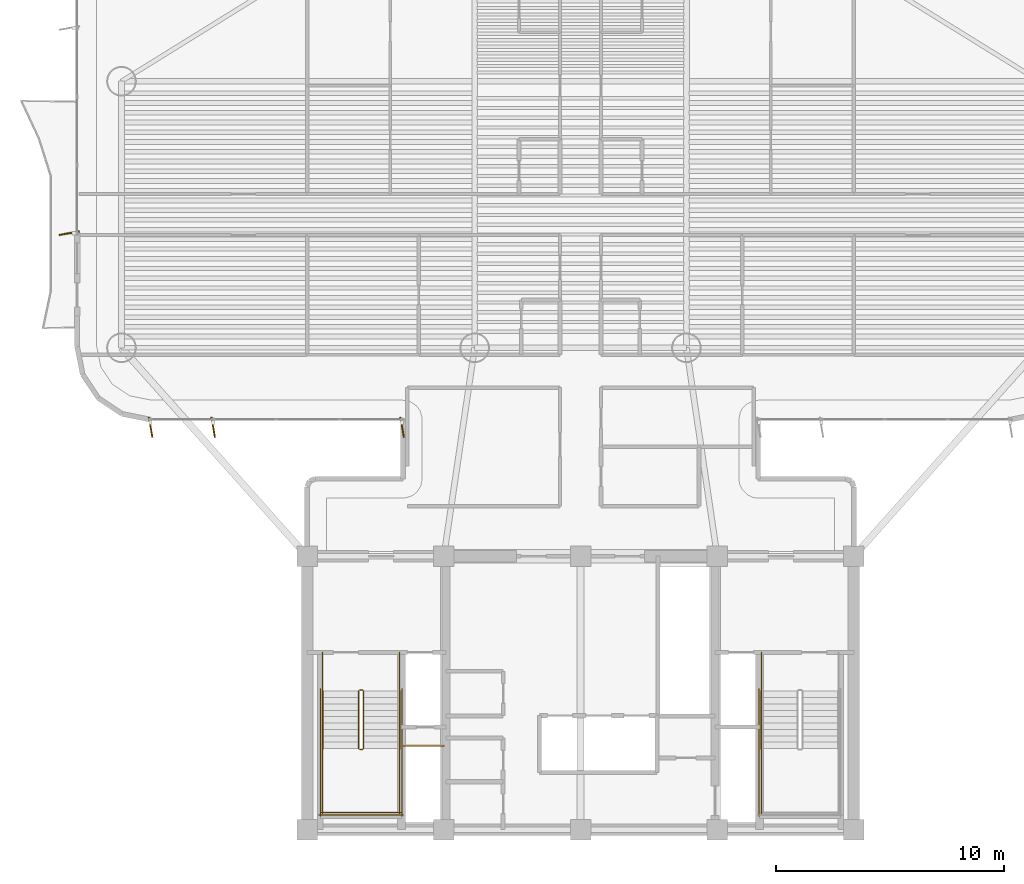
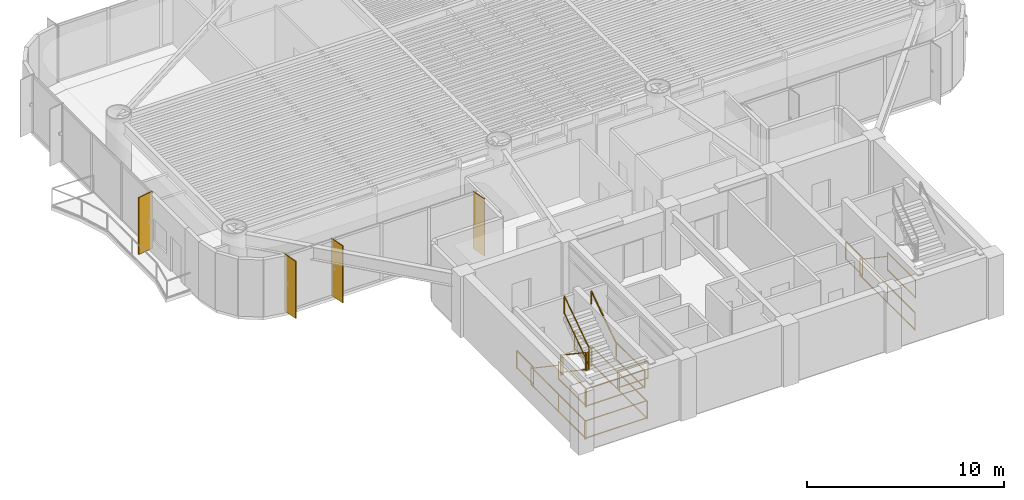
# One storey, part 14 of 17: 19 railings, 4 shading devices.
"""IFC4 building model written with IfcOpenShell, lengths in metres."""

from ifc_helpers import new_model, si_unit, direction, frame, origin, origin_2d, place, context, subcontext, project, spatial, rectangle, extrude, source, transform, mapped, material, layer, layer_set, material_profile, profile_set, type_object, element, save


model = new_model("IFC4")

# Units and contexts
model_context = context("Model", 3, precision=1e-05, world=origin(), true_north=direction((0.0, 1.0)))
body_context = subcontext(model_context, "Body", "Model", "MODEL_VIEW")
ifc_project = project(units=[si_unit("LENGTHUNIT", "METRE"), si_unit("AREAUNIT", "SQUARE_METRE"), si_unit("VOLUMEUNIT", "CUBIC_METRE"), si_unit("PLANEANGLEUNIT", "RADIAN"), si_unit("MASSUNIT", "GRAM", prefix="KILO")], contexts=[model_context])

# Site, building, storey
site_placement = place(None, origin())
site = spatial("IfcSite", under=ifc_project, at=site_placement, CompositionType="ELEMENT")
building_placement = place(site_placement, origin())
building = spatial("IfcBuilding", under=site, at=building_placement, Name="Brelvock Crest Care Tower", CompositionType="ELEMENT")
storey_placement = place(building_placement, frame((0.0, 0.0, 93.60009765625)))
storey = spatial("IfcBuildingStorey", under=building, at=storey_placement, Name="L23", CompositionType="ELEMENT", Elevation=93.60009765625)

# Railings
ifc_material_1 = material(Name="Steel Grade 350", Category="steel")
ifc_layer_1 = layer(ifc_material_1, 0.050048828125, Name="RL-STG1")
ifc_layer_set_1 = layer_set([ifc_layer_1], Name="Steel Grade 350")
railing_type_1 = type_object("IfcRailingType", Name="RL-STG1", PredefinedType="GUARDRAIL", material=ifc_layer_set_1)
railing_1_placement = place(storey_placement, frame((26.260009765625, 12.080078125, 0.18896484375)))
element("IfcRailing", 1, at=railing_1_placement, inside=storey, type_object=railing_type_1, Name="L23 ST-1 stair guard 1", PredefinedType="GUARDRAIL", context=body_context, shape_type="SweptSolid", body=[
    extrude(rectangle(XDim=0.048095703125, YDim=0.048095703125, at=origin_2d()), frame((0.0, -0.001708984375, 1.116943359375), z_axis=(0.0, -0.828861706735, 0.559453546873), x_axis=(1.0, 0.0, 0.0)), (0.0, 0.0, 1.0), 3.036376953125),
    extrude(rectangle(XDim=0.048095703125, YDim=0.048095703125, at=origin_2d()), frame((0.0, -0.001708984375, 0.05615234375), z_axis=(0.0, -0.828861706735, 0.559453546873), x_axis=(1.0, 0.0, 0.0)), (0.0, 0.0, 1.0), 3.036376953125),
    extrude(rectangle(XDim=0.0419921875, YDim=0.0419921875, at=origin_2d()), origin(), (0.0, 0.0, 1.0), 1.08984375),
    extrude(rectangle(XDim=0.0419921875, YDim=0.0419921875, at=origin_2d()), frame((0.0, -2.52001953125, 1.700927734375)), (0.0, 0.0, 1.0), 1.08984375),
])
railing_2_placement = place(storey_placement, frame((26.31005859375, 9.510009765625, 1.889892578125)))
element("IfcRailing", 2, at=railing_2_placement, inside=storey, type_object=railing_type_1, Name="L23 ST-1 stair guard 2", PredefinedType="GUARDRAIL", context=body_context, shape_type="SweptSolid", body=[
    extrude(rectangle(XDim=0.048095703125, YDim=0.048095703125, at=origin_2d()), frame((0.001953125, 0.0, 1.11572265625), z_axis=(1.0, 0.0, 0.0), x_axis=(0.0, 1.0, 0.0)), (0.0, 0.0, 1.0), 0.115966796875),
    extrude(rectangle(XDim=0.048095703125, YDim=0.048095703125, at=origin_2d()), frame((0.001953125, 0.0, 0.054931640625), z_axis=(1.0, 0.0, 0.0), x_axis=(0.0, 1.0, 0.0)), (0.0, 0.0, 1.0), 0.115966796875),
    extrude(rectangle(XDim=0.0419921875, YDim=0.0419921875, at=origin_2d()), origin(), (0.0, 0.0, 1.0), 1.08984375),
    extrude(rectangle(XDim=0.0419921875, YDim=0.0419921875, at=origin_2d()), frame((0.119873046875, 0.0, 0.0)), (0.0, 0.0, 1.0), 1.08984375),
])
for number, where, name in (
    (3, (24.679931640625, 9.56005859375, 1.889892578125), "L23 ST-1 stair guard 3"),
    (4, (28.06005859375, 9.56005859375, 1.889892578125), "L23 ST-1 stair guard 4"),
):
    element("IfcRailing", number, at=place(storey_placement, frame(where)), inside=storey, type_object=railing_type_1, Name=name, PredefinedType="GUARDRAIL", context=body_context, shape_type="SweptSolid", body=[
        extrude(rectangle(XDim=0.048095703125, YDim=0.048095703125, at=origin_2d()), frame((0.0, -0.001953125, 1.11572265625), z_axis=(0.0, -1.0, 0.0), x_axis=(1.0, 0.0, 0.0)), (0.0, 0.0, 1.0), 2.856201171875),
        extrude(rectangle(XDim=0.048095703125, YDim=0.048095703125, at=origin_2d()), frame((0.0, -0.001953125, 0.054931640625), z_axis=(0.0, -1.0, 0.0), x_axis=(1.0, 0.0, 0.0)), (0.0, 0.0, 1.0), 2.856201171875),
        extrude(rectangle(XDim=0.0419921875, YDim=0.0419921875, at=origin_2d()), origin(), (0.0, 0.0, 1.0), 1.08984375),
        extrude(rectangle(XDim=0.0419921875, YDim=0.0419921875, at=origin_2d()), frame((0.0, -2.860107421875, 0.0)), (0.0, 0.0, 1.0), 1.08984375),
    ])
railing_3_placement = place(storey_placement, frame((24.6298828125, 6.75, 1.889892578125)))
element("IfcRailing", 5, at=railing_3_placement, inside=storey, type_object=railing_type_1, Name="L23 ST-1 stair guard 5", PredefinedType="GUARDRAIL", context=body_context, shape_type="SweptSolid", body=[
    extrude(rectangle(XDim=0.048095703125, YDim=0.048095703125, at=origin_2d()), frame((0.001953125, 0.0, 1.11572265625), z_axis=(1.0, 0.0, 0.0), x_axis=(0.0, 1.0, 0.0)), (0.0, 0.0, 1.0), 3.476318359375),
    extrude(rectangle(XDim=0.048095703125, YDim=0.048095703125, at=origin_2d()), frame((0.001953125, 0.0, 0.054931640625), z_axis=(1.0, 0.0, 0.0), x_axis=(0.0, 1.0, 0.0)), (0.0, 0.0, 1.0), 3.476318359375),
    extrude(rectangle(XDim=0.0419921875, YDim=0.0419921875, at=origin_2d()), origin(), (0.0, 0.0, 1.0), 1.08984375),
    extrude(rectangle(XDim=0.0419921875, YDim=0.0419921875, at=origin_2d()), frame((3.480224609375, 0.0, 0.0)), (0.0, 0.0, 1.0), 1.08984375),
])
railing_4_placement = place(storey_placement, frame((26.47998046875, 9.56005859375, 2.078857421875)))
element("IfcRailing", 6, at=railing_4_placement, inside=storey, type_object=railing_type_1, Name="L23 ST-1 stair guard 6", PredefinedType="GUARDRAIL", context=body_context, shape_type="SweptSolid", body=[
    extrude(rectangle(XDim=0.048095703125, YDim=0.048095703125, at=origin_2d()), frame((0.0, 0.001708984375, 1.116943359375), z_axis=(0.0, 0.828861706735, 0.559453546873), x_axis=(-1.0, 0.0, 0.0)), (0.0, 0.0, 1.0), 3.036376953125),
    extrude(rectangle(XDim=0.048095703125, YDim=0.048095703125, at=origin_2d()), frame((0.0, 0.001708984375, 0.05615234375), z_axis=(0.0, 0.828861706735, 0.559453546873), x_axis=(-1.0, 0.0, 0.0)), (0.0, 0.0, 1.0), 3.036376953125),
    extrude(rectangle(XDim=0.0419921875, YDim=0.0419921875, at=origin_2d()), origin(), (0.0, 0.0, 1.0), 1.08984375),
    extrude(rectangle(XDim=0.0419921875, YDim=0.0419921875, at=origin_2d()), frame((0.0, 2.52001953125, 1.700927734375)), (0.0, 0.0, 1.0), 1.08984375),
])
railing_5_placement = place(storey_placement, frame((26.31005859375, 12.1298828125, 0.0)))
element("IfcRailing", 7, at=railing_5_placement, inside=storey, type_object=railing_type_1, Name="L23 ST-1 stair guard 7", PredefinedType="GUARDRAIL", context=body_context, shape_type="SweptSolid", body=[
    extrude(rectangle(XDim=0.048095703125, YDim=0.048095703125, at=origin_2d()), frame((0.001953125, 0.0, 1.11572265625), z_axis=(1.0, 0.0, 0.0), x_axis=(0.0, 1.0, 0.0)), (0.0, 0.0, 1.0), 0.115966796875),
    extrude(rectangle(XDim=0.048095703125, YDim=0.048095703125, at=origin_2d()), frame((0.001953125, 0.0, 0.054931640625), z_axis=(1.0, 0.0, 0.0), x_axis=(0.0, 1.0, 0.0)), (0.0, 0.0, 1.0), 0.115966796875),
    extrude(rectangle(XDim=0.0419921875, YDim=0.0419921875, at=origin_2d()), origin(), (0.0, 0.0, 1.0), 1.08984375),
    extrude(rectangle(XDim=0.0419921875, YDim=0.0419921875, at=origin_2d()), frame((0.119873046875, 0.0, 0.0)), (0.0, 0.0, 1.0), 1.08984375),
])
for number, where, name in (
    (8, (24.679931640625, 13.780029296875, 0.0), "L23 ST-1 stair guard 8"),
    (9, (28.06005859375, 13.780029296875, 0.0), "L23 ST-1 stair guard 9"),
):
    element("IfcRailing", number, at=place(storey_placement, frame(where)), inside=storey, type_object=railing_type_1, Name=name, PredefinedType="GUARDRAIL", context=body_context, shape_type="SweptSolid", body=[
        extrude(rectangle(XDim=0.048095703125, YDim=0.048095703125, at=origin_2d()), frame((0.0, -0.001953125, 1.11572265625), z_axis=(0.0, -1.0, 0.0), x_axis=(1.0, 0.0, 0.0)), (0.0, 0.0, 1.0), 1.696044921875),
        extrude(rectangle(XDim=0.048095703125, YDim=0.048095703125, at=origin_2d()), frame((0.0, -0.001953125, 0.054931640625), z_axis=(0.0, -1.0, 0.0), x_axis=(1.0, 0.0, 0.0)), (0.0, 0.0, 1.0), 1.696044921875),
        extrude(rectangle(XDim=0.0419921875, YDim=0.0419921875, at=origin_2d()), origin(), (0.0, 0.0, 1.0), 1.08984375),
        extrude(rectangle(XDim=0.0419921875, YDim=0.0419921875, at=origin_2d()), frame((0.0, -1.699951171875, 0.0)), (0.0, 0.0, 1.0), 1.08984375),
    ])
for number, where, name in (
    (10, (24.580078125, 12.179931640625, 0.0), "L23 ST-1 stair guard 10"),
    (11, (28.159912109375, 12.179931640625, 0.0), "L23 ST-1 stair guard 11"),
):
    element("IfcRailing", number, at=place(storey_placement, frame(where)), inside=storey, type_object=railing_type_1, Name=name, PredefinedType="GUARDRAIL", context=body_context, shape_type="SweptSolid", body=[
        extrude(rectangle(XDim=0.048095703125, YDim=0.048095703125, at=origin_2d()), frame((0.0, -0.001953125, 1.11572265625), z_axis=(0.0, -1.0, 0.0), x_axis=(1.0, 0.0, 0.0)), (0.0, 0.0, 1.0), 5.575927734375),
        extrude(rectangle(XDim=0.048095703125, YDim=0.048095703125, at=origin_2d()), frame((0.0, -0.001953125, 0.054931640625), z_axis=(0.0, -1.0, 0.0), x_axis=(1.0, 0.0, 0.0)), (0.0, 0.0, 1.0), 5.575927734375),
        extrude(rectangle(XDim=0.0419921875, YDim=0.0419921875, at=origin_2d()), origin(), (0.0, 0.0, 1.0), 1.08984375),
        extrude(rectangle(XDim=0.0419921875, YDim=0.0419921875, at=origin_2d()), frame((0.0, -2.7900390625, 0.0)), (0.0, 0.0, 1.0), 1.08984375),
        extrude(rectangle(XDim=0.0419921875, YDim=0.0419921875, at=origin_2d()), frame((0.0, -5.579833984375, 0.0)), (0.0, 0.0, 1.0), 1.08984375),
    ])
railing_6_placement = place(storey_placement, frame((24.530029296875, 6.64990234375, 0.0)))
element("IfcRailing", 12, at=railing_6_placement, inside=storey, type_object=railing_type_1, Name="L23 ST-1 stair guard 12", PredefinedType="GUARDRAIL", context=body_context, shape_type="SweptSolid", body=[
    extrude(rectangle(XDim=0.048095703125, YDim=0.048095703125, at=origin_2d()), frame((0.001953125, 0.0, 1.11572265625), z_axis=(1.0, 0.0, 0.0), x_axis=(0.0, 1.0, 0.0)), (0.0, 0.0, 1.0), 3.676025390625),
    extrude(rectangle(XDim=0.048095703125, YDim=0.048095703125, at=origin_2d()), frame((0.001953125, 0.0, 0.054931640625), z_axis=(1.0, 0.0, 0.0), x_axis=(0.0, 1.0, 0.0)), (0.0, 0.0, 1.0), 3.676025390625),
    extrude(rectangle(XDim=0.0419921875, YDim=0.0419921875, at=origin_2d()), origin(), (0.0, 0.0, 1.0), 1.08984375),
    extrude(rectangle(XDim=0.0419921875, YDim=0.0419921875, at=origin_2d()), frame((3.679931640625, 0.0, 0.0)), (0.0, 0.0, 1.0), 1.08984375),
])
railing_7_placement = place(storey_placement, frame((43.93994140625, 9.56005859375, 1.889892578125)))
element("IfcRailing", 13, at=railing_7_placement, inside=storey, type_object=railing_type_1, Name="L23 ST-2 stair guard 3", PredefinedType="GUARDRAIL", context=body_context, shape_type="SweptSolid", body=[
    extrude(rectangle(XDim=0.048095703125, YDim=0.048095703125, at=origin_2d()), frame((0.0, -0.001953125, 1.11572265625), z_axis=(0.0, -1.0, 0.0), x_axis=(1.0, 0.0, 0.0)), (0.0, 0.0, 1.0), 2.856201171875),
    extrude(rectangle(XDim=0.048095703125, YDim=0.048095703125, at=origin_2d()), frame((0.0, -0.001953125, 0.054931640625), z_axis=(0.0, -1.0, 0.0), x_axis=(1.0, 0.0, 0.0)), (0.0, 0.0, 1.0), 2.856201171875),
    extrude(rectangle(XDim=0.0419921875, YDim=0.0419921875, at=origin_2d()), origin(), (0.0, 0.0, 1.0), 1.08984375),
    extrude(rectangle(XDim=0.0419921875, YDim=0.0419921875, at=origin_2d()), frame((0.0, -2.860107421875, 0.0)), (0.0, 0.0, 1.0), 1.08984375),
])
railing_8_placement = place(storey_placement, frame((43.93994140625, 13.780029296875, 0.0)))
element("IfcRailing", 14, at=railing_8_placement, inside=storey, type_object=railing_type_1, Name="L23 ST-2 stair guard 8", PredefinedType="GUARDRAIL", context=body_context, shape_type="SweptSolid", body=[
    extrude(rectangle(XDim=0.048095703125, YDim=0.048095703125, at=origin_2d()), frame((0.0, -0.001953125, 1.11572265625), z_axis=(0.0, -1.0, 0.0), x_axis=(1.0, 0.0, 0.0)), (0.0, 0.0, 1.0), 1.696044921875),
    extrude(rectangle(XDim=0.048095703125, YDim=0.048095703125, at=origin_2d()), frame((0.0, -0.001953125, 0.054931640625), z_axis=(0.0, -1.0, 0.0), x_axis=(1.0, 0.0, 0.0)), (0.0, 0.0, 1.0), 1.696044921875),
    extrude(rectangle(XDim=0.0419921875, YDim=0.0419921875, at=origin_2d()), origin(), (0.0, 0.0, 1.0), 1.08984375),
    extrude(rectangle(XDim=0.0419921875, YDim=0.0419921875, at=origin_2d()), frame((0.0, -1.699951171875, 0.0)), (0.0, 0.0, 1.0), 1.08984375),
])
railing_9_placement = place(storey_placement, frame((43.840087890625, 12.179931640625, 0.0)))
element("IfcRailing", 15, at=railing_9_placement, inside=storey, type_object=railing_type_1, Name="L23 ST-2 stair guard 10", PredefinedType="GUARDRAIL", context=body_context, shape_type="SweptSolid", body=[
    extrude(rectangle(XDim=0.048095703125, YDim=0.048095703125, at=origin_2d()), frame((0.0, -0.001953125, 1.11572265625), z_axis=(0.0, -1.0, 0.0), x_axis=(1.0, 0.0, 0.0)), (0.0, 0.0, 1.0), 5.575927734375),
    extrude(rectangle(XDim=0.048095703125, YDim=0.048095703125, at=origin_2d()), frame((0.0, -0.001953125, 0.054931640625), z_axis=(0.0, -1.0, 0.0), x_axis=(1.0, 0.0, 0.0)), (0.0, 0.0, 1.0), 5.575927734375),
    extrude(rectangle(XDim=0.0419921875, YDim=0.0419921875, at=origin_2d()), origin(), (0.0, 0.0, 1.0), 1.08984375),
    extrude(rectangle(XDim=0.0419921875, YDim=0.0419921875, at=origin_2d()), frame((0.0, -2.7900390625, 0.0)), (0.0, 0.0, 1.0), 1.08984375),
    extrude(rectangle(XDim=0.0419921875, YDim=0.0419921875, at=origin_2d()), frame((0.0, -5.579833984375, 0.0)), (0.0, 0.0, 1.0), 1.08984375),
])
railing_10_placement = place(storey_placement, frame((28.219970703125, 9.679931640625, 0.0)))
element("IfcRailing", 16, at=railing_10_placement, inside=storey, type_object=railing_type_1, Name="L23 Fire Riser Threshold Guard", PredefinedType="GUARDRAIL", context=body_context, shape_type="SweptSolid", body=[
    extrude(rectangle(XDim=0.048095703125, YDim=0.048095703125, at=origin_2d()), frame((0.001953125, 0.0, 1.11572265625), z_axis=(1.0, 0.0, 0.0), x_axis=(0.0, 1.0, 0.0)), (0.0, 0.0, 1.0), 1.776123046875),
    extrude(rectangle(XDim=0.048095703125, YDim=0.048095703125, at=origin_2d()), frame((0.001953125, 0.0, 0.054931640625), z_axis=(1.0, 0.0, 0.0), x_axis=(0.0, 1.0, 0.0)), (0.0, 0.0, 1.0), 1.776123046875),
    extrude(rectangle(XDim=0.0419921875, YDim=0.0419921875, at=origin_2d()), origin(), (0.0, 0.0, 1.0), 1.08984375),
    extrude(rectangle(XDim=0.0419921875, YDim=0.0419921875, at=origin_2d()), frame((1.780029296875, 0.0, 0.0)), (0.0, 0.0, 1.0), 1.08984375),
])
ifc_layer_2 = layer(ifc_material_1, 0.048095703125, Name="RL-STH1")
ifc_layer_set_2 = layer_set([ifc_layer_2], Name="Steel Grade 350")
railing_type_2 = type_object("IfcRailingType", Name="RL-STH1", PredefinedType="HANDRAIL", material=ifc_layer_set_2)
railing_11_placement = place(storey_placement, frame((24.679931640625, 12.080078125, 0.18896484375)))
element("IfcRailing", 17, at=railing_11_placement, inside=storey, type_object=railing_type_2, Name="L23 ST-1 stair handrail 1", PredefinedType="HANDRAIL", context=body_context, shape_type="SweptSolid", body=[
    extrude(rectangle(XDim=0.048095703125, YDim=0.048095703125, at=origin_2d()), frame((0.0, -0.001708984375, 0.876953125), z_axis=(0.0, -0.828861706735, 0.559453546873), x_axis=(1.0, 0.0, 0.0)), (0.0, 0.0, 1.0), 3.036376953125),
    extrude(rectangle(XDim=0.0419921875, YDim=0.0419921875, at=origin_2d()), origin(), (0.0, 0.0, 1.0), 0.849853515625),
    extrude(rectangle(XDim=0.0419921875, YDim=0.0419921875, at=origin_2d()), frame((0.0, -2.52001953125, 1.700927734375)), (0.0, 0.0, 1.0), 0.849853515625),
])
railing_12_placement = place(storey_placement, frame((28.06005859375, 9.56005859375, 2.078857421875)))
element("IfcRailing", 18, at=railing_12_placement, inside=storey, type_object=railing_type_2, Name="L23 ST-1 stair handrail 2", PredefinedType="HANDRAIL", context=body_context, shape_type="SweptSolid", body=[
    extrude(rectangle(XDim=0.048095703125, YDim=0.048095703125, at=origin_2d()), frame((0.0, 0.001708984375, 0.876953125), z_axis=(0.0, 0.828861706735, 0.559453546873), x_axis=(-1.0, 0.0, 0.0)), (0.0, 0.0, 1.0), 3.036376953125),
    extrude(rectangle(XDim=0.0419921875, YDim=0.0419921875, at=origin_2d()), origin(), (0.0, 0.0, 1.0), 0.849853515625),
    extrude(rectangle(XDim=0.0419921875, YDim=0.0419921875, at=origin_2d()), frame((0.0, 2.52001953125, 1.700927734375)), (0.0, 0.0, 1.0), 0.849853515625),
])
railing_13_placement = place(storey_placement, frame((43.93994140625, 12.080078125, 0.18896484375)))
element("IfcRailing", 19, at=railing_13_placement, inside=storey, type_object=railing_type_2, Name="L23 ST-2 stair handrail 1", PredefinedType="HANDRAIL", context=body_context, shape_type="SweptSolid", body=[
    extrude(rectangle(XDim=0.048095703125, YDim=0.048095703125, at=origin_2d()), frame((0.0, -0.001708984375, 0.876953125), z_axis=(0.0, -0.828861706735, 0.559453546873), x_axis=(1.0, 0.0, 0.0)), (0.0, 0.0, 1.0), 3.036376953125),
    extrude(rectangle(XDim=0.0419921875, YDim=0.0419921875, at=origin_2d()), origin(), (0.0, 0.0, 1.0), 0.849853515625),
    extrude(rectangle(XDim=0.0419921875, YDim=0.0419921875, at=origin_2d()), frame((0.0, -2.52001953125, 1.700927734375)), (0.0, 0.0, 1.0), 0.849853515625),
])

# Shading devices
ifc_material_2 = material(Name="Aluminium 6063-T6", Category="aluminium")
ifc_material_profile = material_profile(ifc_material_2, rectangle(XDim=0.054931640625, YDim=0.89990234375, at=origin_2d()), Name="FIN55x900")
ifc_profile_set = profile_set([ifc_material_profile], Name="Aluminium 6063-T6")
shading_device_type = type_object("IfcShadingDeviceType", Name="SHD-FIN1", PredefinedType="USERDEFINED", material=ifc_profile_set)
shared_shape = source(origin(), body_context, "Body", "SweptSolid", [
    extrude(rectangle(XDim=0.054931640625, YDim=0.89990234375, at=origin_2d()), origin(), (0.0, 0.0, 1.0), 3.52978515625),
])
for number, where, z_axis, x_axis, name in (
    (20, (28.169921875, 23.659912109375, 0.0), (0.0, 0.0, 1.0), (-0.984807753012, -0.173648177667, 0.0), "L23 Vertical Sunshade Fin E12-01"),
    (21, (19.875, 23.659912109375, 0.0), (0.0, 0.0, 1.0), (-0.984807753012, -0.173648177667, 0.0), "L23 Vertical Sunshade Fin E12-04"),
    (22, (17.1298828125, 23.659912109375, 0.0), (0.0, 0.0, 1.0), (-0.984807753012, -0.173648177667, 0.0), "L23 Vertical Sunshade Fin E12-05"),
    (23, (13.56005859375, 32.179931640625, 0.0), (0.0, 0.0, 1.0), (-0.173648177667, 0.984807753012, 0.0), "L23 Vertical Sunshade Fin E17B-01"),
):
    element("IfcShadingDevice", number, at=place(storey_placement, frame(where, z_axis=z_axis, x_axis=x_axis)), inside=storey, type_object=shading_device_type, Name=name, ObjectType="FIN", PredefinedType="USERDEFINED", context=body_context, shape_type="MappedRepresentation", body=[
        mapped(shared_shape, transform((0.0, 0.0, 0.0), x_axis=(1.0, 0.0, 0.0), y_axis=(0.0, 1.0, 0.0), z_axis=(0.0, 0.0, 1.0), scale=1.0)),
    ])

save(model, "model.ifc")
